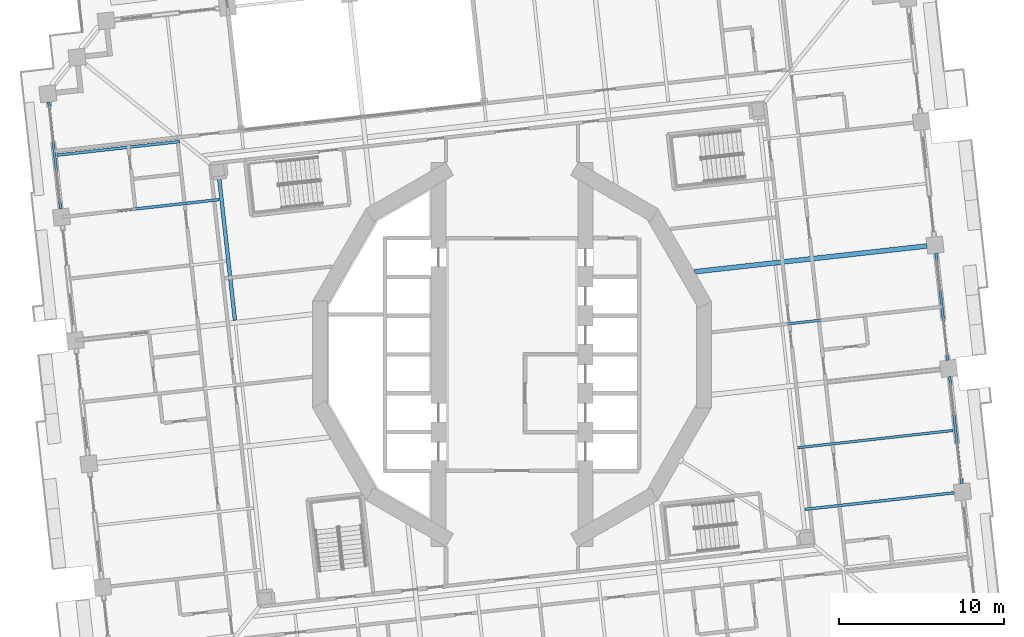
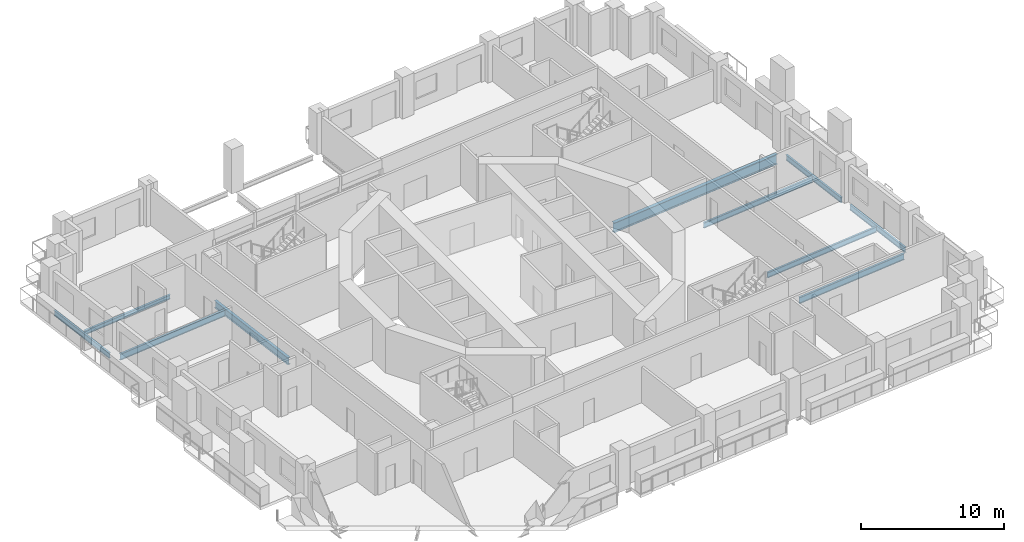
# One storey, part 2 of 21: 10 beams.
"""IFC4 building model written with IfcOpenShell, lengths in metres."""

from ifc_helpers import new_model, si_unit, direction, frame, origin, origin_2d, place, context, subcontext, project, spatial, i_section, extrude, material, material_profile, profile_set, type_object, element, save


model = new_model("IFC4")

# Units and contexts
model_context = context("Model", 3, precision=1e-05, world=origin(), true_north=direction((0.0, 1.0)))
body_context = subcontext(model_context, "Body", "Model", "MODEL_VIEW")
ifc_project = project(units=[si_unit("LENGTHUNIT", "METRE"), si_unit("AREAUNIT", "SQUARE_METRE"), si_unit("VOLUMEUNIT", "CUBIC_METRE"), si_unit("PLANEANGLEUNIT", "RADIAN"), si_unit("MASSUNIT", "GRAM", prefix="KILO")], contexts=[model_context])

# Site, building, storey
site_placement = place(None, origin())
site = spatial("IfcSite", under=ifc_project, at=site_placement, CompositionType="ELEMENT")
building_placement = place(site_placement, origin())
building = spatial("IfcBuilding", under=site, at=building_placement, Name="Cantera Rosa Tower", CompositionType="ELEMENT")
storey_placement = place(building_placement, frame((0.0, 0.0, 61.5)))
storey = spatial("IfcBuildingStorey", under=building, at=storey_placement, Name="L12", CompositionType="ELEMENT", Elevation=61.5)

# Beams
ifc_material_1 = material(Name="Steel ASTM A992 (Fy 345 MPa)", Category="steel")
ifc_material_profile_1 = material_profile(ifc_material_1, i_section(OverallWidth=0.166015625, OverallDepth=0.528076171875, WebThickness=0.009765625, FlangeThickness=0.013671875, FilletRadius=0.0126953125, at=origin_2d()), Name="W530X74")
ifc_profile_set_1 = profile_set([ifc_material_profile_1], Name="Steel ASTM A992 (Fy 345 MPa)")
beam_type_1 = type_object("IfcBeamType", Name="STEEL BEAM W530X74", PredefinedType="BEAM", material=ifc_profile_set_1)
for number, where, z_axis, x_axis, name in (
    (1, (26.78759765625, -8.376220703125, -0.513916015625), (-0.993899428859, -0.110290186845, 0.0), (0.110290186845, -0.993899428859, 0.0), "G-Z1-01 L12"),
    (2, (-26.78759765625, 8.376220703125, -0.513916015625), (0.993899428859, 0.110290186845, 0.0), (-0.110290186845, 0.993899428859, 0.0), "G-Z1-15 L12"),
):
    element("IfcBeam", number, at=place(storey_placement, frame(where, z_axis=z_axis, x_axis=x_axis)), inside=storey, type_object=beam_type_1, Name=name, PredefinedType="BEAM", context=body_context, shape_type="SweptSolid", body=[
        extrude(i_section(OverallWidth=0.166015625, OverallDepth=0.528076171875, WebThickness=0.009765625, FlangeThickness=0.013671875, FilletRadius=0.0126953125, at=origin_2d()), origin(), (0.0, 0.0, 1.0), 9.10009765625),
    ])
ifc_material_2 = material(Name="Steel ASTM A992 (Fy 345 MPa)", Category="steel")
ifc_material_profile_2 = material_profile(ifc_material_2, i_section(OverallWidth=0.22802734375, OverallDepth=0.60205078125, WebThickness=0.010498046875, FlangeThickness=0.014892578125, FilletRadius=0.0126953125, at=origin_2d()), Name="W610X101")
ifc_profile_set_2 = profile_set([ifc_material_profile_2], Name="Steel ASTM A992 (Fy 345 MPa)")
beam_type_2 = type_object("IfcBeamType", Name="STEEL BEAM W610X101", PredefinedType="BEAM", material=ifc_profile_set_2)
beam_1_placement = place(storey_placement, frame((-16.781005859375, 2.071533203125, -0.551025390625), z_axis=(-0.110298932846, 0.993898458301, 0.0), x_axis=(-0.993898458301, -0.110298932846, 0.0)))
element("IfcBeam", 3, at=beam_1_placement, inside=storey, type_object=beam_type_2, Name="RB-Z1-12 L12", PredefinedType="BEAM", context=body_context, shape_type="SweptSolid", body=[
    extrude(i_section(OverallWidth=0.22802734375, OverallDepth=0.60205078125, WebThickness=0.010498046875, FlangeThickness=0.014892578125, FilletRadius=0.0126953125, at=origin_2d()), origin(), (0.0, 0.0, 1.0), 8.68994140625),
])
ifc_material_3 = material(Name="Steel ASTM A992 (Fy 345 MPa)", Category="steel")
ifc_material_profile_3 = material_profile(ifc_material_3, i_section(OverallWidth=0.2919921875, OverallDepth=0.8359375, WebThickness=0.013916015625, FlangeThickness=0.018798828125, FilletRadius=0.017822265625, at=origin_2d()), Name="W840X176")
ifc_profile_set_3 = profile_set([ifc_material_profile_3], Name="Steel ASTM A992 (Fy 345 MPa)")
beam_type_3 = type_object("IfcBeamType", Name="STEEL BEAM W840X176", PredefinedType="BEAM", material=ifc_profile_set_3)
beam_2_placement = place(storey_placement, frame((25.12841796875, 6.572021484375, -0.66796875), z_axis=(-0.993897599241, -0.110306673519, 0.0), x_axis=(0.110306673519, -0.993897599241, 0.0)))
element("IfcBeam", 4, at=beam_2_placement, inside=storey, type_object=beam_type_3, Name="G-Z1-03 L12", PredefinedType="BEAM", context=body_context, shape_type="SweptSolid", body=[
    extrude(i_section(OverallWidth=0.2919921875, OverallDepth=0.8359375, WebThickness=0.013916015625, FlangeThickness=0.018798828125, FilletRadius=0.017822265625, at=origin_2d()), origin(), (0.0, 0.0, 1.0), 14.1650390625),
])
ifc_material_4 = material(Name="Steel ASTM A992 (Fy 345 MPa)", Category="steel")
ifc_material_profile_4 = material_profile(ifc_material_4, i_section(OverallWidth=0.1708984375, OverallDepth=0.35595703125, WebThickness=0.00732421875, FlangeThickness=0.01171875, FilletRadius=0.010009765625, at=origin_2d()), Name="W360X51")
ifc_profile_set_4 = profile_set([ifc_material_profile_4], Name="Steel ASTM A992 (Fy 345 MPa)")
beam_type_4 = type_object("IfcBeamType", Name="STEEL JOIST W360X51", PredefinedType="JOIST", material=ifc_profile_set_4)
beam_3_placement = place(storey_placement, frame((-27.550048828125, 12.074462890625, -0.427978515625), z_axis=(0.993895702238, 0.110323764768, 0.0), x_axis=(-0.110323764768, 0.993895702238, 0.0)))
element("IfcBeam", 5, at=beam_3_placement, inside=storey, type_object=beam_type_4, Name="B-Z1-18 L12", PredefinedType="JOIST", context=body_context, shape_type="SweptSolid", body=[
    extrude(i_section(OverallWidth=0.1708984375, OverallDepth=0.35595703125, WebThickness=0.00732421875, FlangeThickness=0.01171875, FilletRadius=0.010009765625, at=origin_2d()), origin(), (0.0, 0.0, 1.0), 7.4599609375),
])
ifc_material_5 = material(Name="Steel ASTM A992 (Fy 345 MPa)", Category="steel")
ifc_material_profile_5 = material_profile(ifc_material_5, i_section(OverallWidth=0.154052734375, OverallDepth=0.4599609375, WebThickness=0.009033203125, FlangeThickness=0.015380859375, FilletRadius=0.01025390625, at=origin_2d()), Name="W460X68")
ifc_profile_set_5 = profile_set([ifc_material_profile_5], Name="Steel ASTM A992 (Fy 345 MPa)")
beam_type_5 = type_object("IfcBeamType", Name="STEEL JOIST W460X68", PredefinedType="JOIST", material=ifc_profile_set_5)
for number, where, z_axis, x_axis, name in (
    (6, (26.720458984375, -4.600341796875, -0.47998046875), (-0.993896645353, -0.110315268011, 0.0), (0.110315268011, -0.993896645353, 0.0), "B-Z1-02 L12"),
    (7, (25.89111328125, 2.87353515625, -0.47998046875), (-0.993899477629, -0.110289747342, 0.0), (0.110289747342, -0.993899477629, 0.0), "B-Z1-03 L12"),
):
    element("IfcBeam", number, at=place(storey_placement, frame(where, z_axis=z_axis, x_axis=x_axis)), inside=storey, type_object=beam_type_5, Name=name, PredefinedType="JOIST", context=body_context, shape_type="SweptSolid", body=[
        extrude(i_section(OverallWidth=0.154052734375, OverallDepth=0.4599609375, WebThickness=0.009033203125, FlangeThickness=0.015380859375, FilletRadius=0.01025390625, at=origin_2d()), origin(), (0.0, 0.0, 1.0), 9.449951171875),
    ])
ifc_material_6 = material(Name="Steel ASTM A992 (Fy 345 MPa)", Category="steel")
ifc_material_profile_6 = material_profile(ifc_material_6, i_section(OverallWidth=0.154052734375, OverallDepth=0.4599609375, WebThickness=0.009033203125, FlangeThickness=0.015380859375, FilletRadius=0.01025390625, at=origin_2d()), Name="W460X68")
ifc_profile_set_6 = profile_set([ifc_material_profile_6], Name="Steel ASTM A992 (Fy 345 MPa)")
beam_type_6 = type_object("IfcBeamType", Name="STEEL SPANDREL BEAM W460X68", PredefinedType="SPANDREL", material=ifc_profile_set_6)
for number, where, z_axis, x_axis, name in (
    (8, (27.229248046875, -7.823974609375, -0.47998046875), (-0.110312341265, 0.993896970196, 0.0), (-0.993896970196, -0.110312341265, 0.0), "EB-Z1-02 L12"),
    (9, (26.399658203125, -0.349853515625, -0.47998046875), (-0.110312341265, 0.993896970196, 0.0), (-0.993896970196, -0.110312341265, 0.0), "EB-Z1-03 L12"),
    (10, (-28.058837890625, 15.298095703125, -0.47998046875), (0.110312341265, -0.993896970196, 0.0), (0.993896970196, 0.110312341265, 0.0), "EB-Z1-16 L12"),
):
    element("IfcBeam", number, at=place(storey_placement, frame(where, z_axis=z_axis, x_axis=x_axis)), inside=storey, type_object=beam_type_6, Name=name, PredefinedType="SPANDREL", context=body_context, shape_type="SweptSolid", body=[
        extrude(i_section(OverallWidth=0.154052734375, OverallDepth=0.4599609375, WebThickness=0.009033203125, FlangeThickness=0.015380859375, FilletRadius=0.01025390625, at=origin_2d()), origin(), (0.0, 0.0, 1.0), 6.52001953125),
    ])

save(model, "model.ifc")
